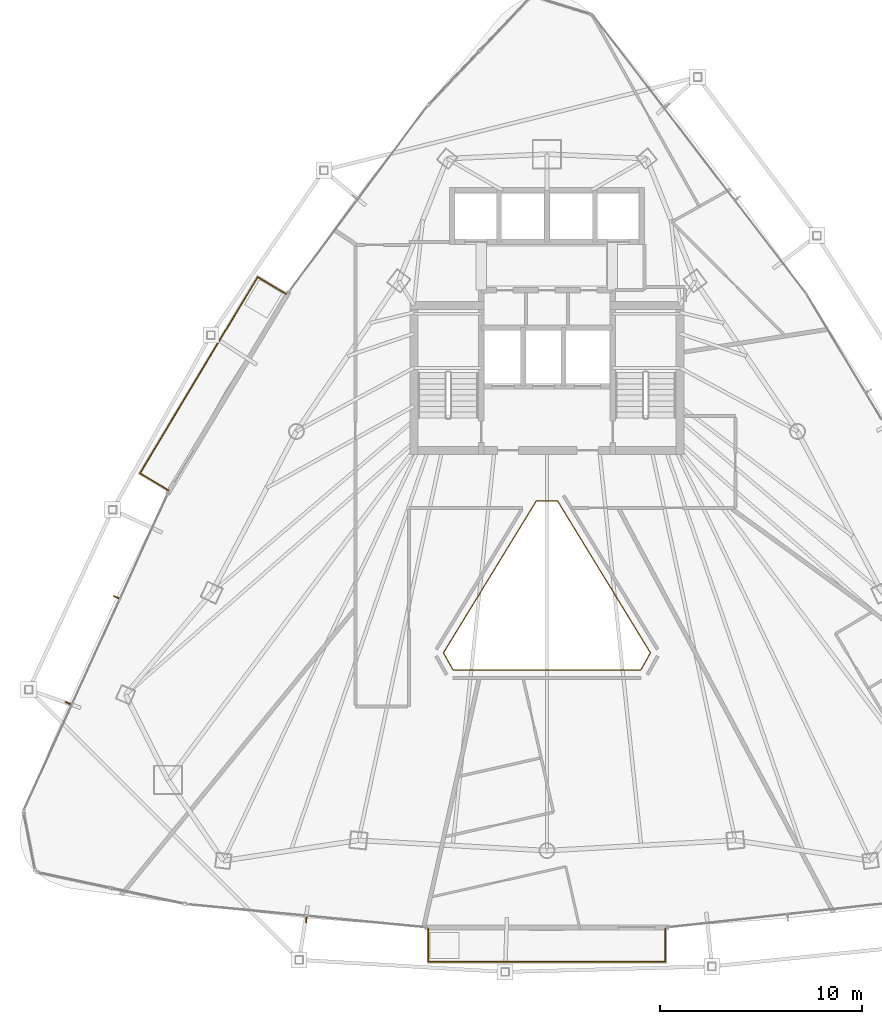
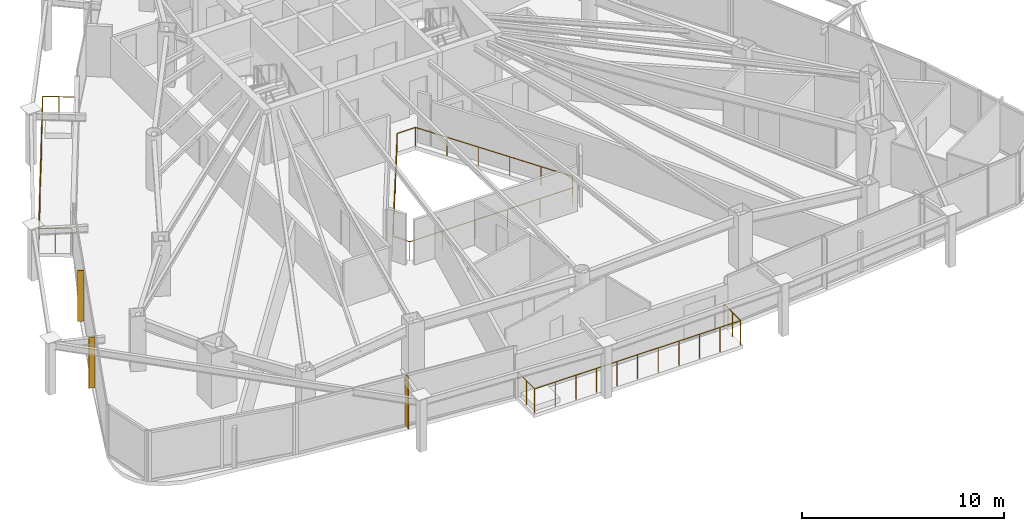
# One storey, part 31 of 33: 3 railings, 3 shading devices.
"""IFC4 building model written with IfcOpenShell, lengths in metres."""

from ifc_helpers import new_model, si_unit, direction, frame, origin, origin_2d, place, context, subcontext, project, spatial, rectangle, circle, extrude, material, layer, layer_set, type_object, element, save


model = new_model("IFC4")

# Units and contexts
model_context = context("Model", 3, precision=1e-05, world=origin(), true_north=direction((0.0, 1.0)))
body_context = subcontext(model_context, "Body", "Model", "MODEL_VIEW")
ifc_project = project(units=[si_unit("LENGTHUNIT", "METRE"), si_unit("AREAUNIT", "SQUARE_METRE"), si_unit("VOLUMEUNIT", "CUBIC_METRE"), si_unit("PLANEANGLEUNIT", "RADIAN"), si_unit("MASSUNIT", "GRAM", prefix="KILO")], contexts=[model_context])

# Site, building, storey
site_placement = place(None, origin())
site = spatial("IfcSite", under=ifc_project, at=site_placement, CompositionType="ELEMENT")
building_placement = place(site_placement, origin())
building = spatial("IfcBuilding", under=site, at=building_placement, Name="Orvanel Arch Residences", CompositionType="ELEMENT")
storey_placement = place(building_placement, frame((0.0, 0.0, 123.199951171875)))
storey = spatial("IfcBuildingStorey", under=building, at=storey_placement, Name="L34", CompositionType="ELEMENT", Elevation=123.199951171875)

# Shading devices
ifc_material = material(Name="Bronze-anodised aluminium AA6063-T6", Category="aluminium")
ifc_layer = layer(ifc_material, 0.054931640625)
ifc_layer_set = layer_set([ifc_layer], Name="Bronze-anodised aluminium AA6063-T6")
shading_device_type = type_object("IfcShadingDeviceType", Name="FIN-BRZ-320", PredefinedType="USERDEFINED", material=ifc_layer_set)
for number, where, z_axis, x_axis, name in (
    (1, (11.64892578125, 19.416015625, 0.0), (0.0, 0.0, 1.0), (-0.909961270877, 0.414693242656, 0.0), "L34 Anodised Bronze Mullion FIN 01"),
    (2, (9.2529296875, 14.14990234375, 0.0), (0.0, 0.0, 1.0), (-0.909961270877, 0.414693242656, 0.0), "L34 Anodised Bronze Mullion FIN 02"),
    (3, (21.06494140625, 3.423095703125, 0.0), (0.0, 0.0, 1.0), (-0.09584575252, -0.995396198367, 0.0), "L34 Anodised Bronze Mullion FIN 01"),
):
    element("IfcShadingDevice", number, at=place(storey_placement, frame(where, z_axis=z_axis, x_axis=x_axis)), inside=storey, type_object=shading_device_type, Name=name, ObjectType="FIN", PredefinedType="USERDEFINED", context=body_context, shape_type="SweptSolid", body=[
        extrude(rectangle(XDim=0.320068359375, YDim=0.054931640625, at=origin_2d()), origin(), (0.0, 0.0, 1.0), 3.06005859375),
    ])

# Railings
railing_type_1 = type_object("IfcRailingType", Name="RL-ATR-1150", PredefinedType="BALUSTRADE", material=ifc_material)
railing_1_placement = place(storey_placement, frame((33.52001953125, 24.198974609375, 0.0)))
element("IfcRailing", 4, at=railing_1_placement, inside=storey, type_object=railing_type_1, Name="L34 Atrium Void Protective Balustrade", PredefinedType="BALUSTRADE", context=body_context, shape_type="SweptSolid", body=[
    extrude(circle(Radius=0.02392578125, at=origin_2d()), frame((-0.00146484375, 0.0, 1.1259765625), z_axis=(-1.0, 0.0, 0.0), x_axis=(0.0, -1.0, 0.0)), (0.0, 0.0, 1.0), 1.037109375),
    extrude(circle(Radius=0.02392578125, at=origin_2d()), frame((-1.040771484375, -0.001220703125, 1.1259765625), z_axis=(-0.521622037561, -0.853176681544, 0.0), x_axis=(0.853176681544, -0.521622037561, 0.0)), (0.0, 0.0, 1.0), 8.8369140625),
    extrude(circle(Radius=0.02392578125, at=origin_2d()), frame((-5.650390625, -7.543212890625, 1.1259765625), z_axis=(0.488953837544, -0.872309661044, 0.0), x_axis=(0.872309661044, 0.488953837544, 0.0)), (0.0, 0.0, 1.0), 0.97265625),
    extrude(circle(Radius=0.02392578125, at=origin_2d()), frame((-5.172607421875, -8.39306640625, 1.1259765625), z_axis=(1.0, 0.0, 0.0), x_axis=(0.0, 1.0, 0.0)), (0.0, 0.0, 1.0), 9.30517578125),
    extrude(circle(Radius=0.02392578125, at=origin_2d()), frame((4.134765625, -8.391845703125, 1.1259765625), z_axis=(0.488953837544, 0.872309661044, 0.0), x_axis=(-0.872309661044, 0.488953837544, 0.0)), (0.0, 0.0, 1.0), 0.97265625),
    extrude(circle(Radius=0.02392578125, at=origin_2d()), frame((4.6103515625, -7.540771484375, 1.1259765625), z_axis=(-0.521622037561, 0.853176681544, 0.0), x_axis=(-0.853176681544, -0.521622037561, 0.0)), (0.0, 0.0, 1.0), 8.8369140625),
    extrude(circle(Radius=0.02099609375, at=origin_2d()), origin(), (0.0, 0.0, 1.0), 1.099853515625),
    extrude(circle(Radius=0.02099609375, at=origin_2d()), frame((-1.0400390625, 0.0, 0.0)), (0.0, 0.0, 1.0), 1.099853515625),
    extrude(circle(Radius=0.02099609375, at=origin_2d()), frame((-1.962158203125, -1.50830078125, 0.0)), (0.0, 0.0, 1.0), 1.099853515625),
    extrude(circle(Radius=0.02099609375, at=origin_2d()), frame((-2.884521484375, -3.016845703125, 0.0)), (0.0, 0.0, 1.0), 1.099853515625),
    extrude(circle(Radius=0.02099609375, at=origin_2d()), frame((-3.806640625, -4.525146484375, 0.0)), (0.0, 0.0, 1.0), 1.099853515625),
    extrude(circle(Radius=0.02099609375, at=origin_2d()), frame((-4.72900390625, -6.03369140625, 0.0)), (0.0, 0.0, 1.0), 1.099853515625),
    extrude(circle(Radius=0.02099609375, at=origin_2d()), frame((-5.651123046875, -7.5419921875, 0.0)), (0.0, 0.0, 1.0), 1.099853515625),
    extrude(circle(Radius=0.02099609375, at=origin_2d()), frame((-5.174072265625, -8.39306640625, 0.0)), (0.0, 0.0, 1.0), 1.099853515625),
    extrude(circle(Radius=0.02099609375, at=origin_2d()), frame((-3.3125, -8.39306640625, 0.0)), (0.0, 0.0, 1.0), 1.099853515625),
    extrude(circle(Radius=0.02099609375, at=origin_2d()), frame((-1.450927734375, -8.39306640625, 0.0)), (0.0, 0.0, 1.0), 1.099853515625),
    extrude(circle(Radius=0.02099609375, at=origin_2d()), frame((0.410888671875, -8.39306640625, 0.0)), (0.0, 0.0, 1.0), 1.099853515625),
    extrude(circle(Radius=0.02099609375, at=origin_2d()), frame((2.2724609375, -8.39306640625, 0.0)), (0.0, 0.0, 1.0), 1.099853515625),
    extrude(circle(Radius=0.02099609375, at=origin_2d()), frame((4.134033203125, -8.39306640625, 0.0)), (0.0, 0.0, 1.0), 1.099853515625),
    extrude(circle(Radius=0.02099609375, at=origin_2d()), frame((4.611083984375, -7.5419921875, 0.0)), (0.0, 0.0, 1.0), 1.099853515625),
    extrude(circle(Radius=0.02099609375, at=origin_2d()), frame((3.68896484375, -6.03369140625, 0.0)), (0.0, 0.0, 1.0), 1.099853515625),
    extrude(circle(Radius=0.02099609375, at=origin_2d()), frame((2.7666015625, -4.525146484375, 0.0)), (0.0, 0.0, 1.0), 1.099853515625),
    extrude(circle(Radius=0.02099609375, at=origin_2d()), frame((1.844482421875, -3.016845703125, 0.0)), (0.0, 0.0, 1.0), 1.099853515625),
    extrude(circle(Radius=0.02099609375, at=origin_2d()), frame((0.922119140625, -1.50830078125, 0.0)), (0.0, 0.0, 1.0), 1.099853515625),
])
railing_type_2 = type_object("IfcRailingType", Name="RL-BAL-1480", PredefinedType="BALUSTRADE", material=ifc_material)
railing_2_placement = place(storey_placement, frame((20.056884765625, 34.464111328125, 0.0)))
element("IfcRailing", 5, at=railing_2_placement, inside=storey, type_object=railing_type_2, Name="L34 Balcony Perimeter Guardrail Face 1", PredefinedType="BALUSTRADE", context=body_context, shape_type="SweptSolid", body=[
    extrude(circle(Radius=0.02392578125, at=origin_2d()), frame((-0.001220703125, 0.000732421875, 1.4560546875), z_axis=(-0.857387817543, 0.514670895164, 0.0), x_axis=(-0.514670895164, -0.857387817543, 0.0)), (0.0, 0.0, 1.0), 1.636962890625),
    extrude(circle(Radius=0.02392578125, at=origin_2d()), frame((-1.40673828125, 0.8427734375, 1.4560546875), z_axis=(-0.514435715158, -0.857528947016, 0.0), x_axis=(0.857528947016, -0.514435715158, 0.0)), (0.0, 0.0, 1.0), 11.35888671875),
    extrude(circle(Radius=0.02392578125, at=origin_2d()), frame((-7.249755859375, -8.89990234375, 1.4560546875), z_axis=(0.857545439568, -0.514408222208, 0.0), x_axis=(0.514408222208, 0.857545439568, 0.0)), (0.0, 0.0, 1.0), 1.6376953125),
    extrude(circle(Radius=0.02099609375, at=origin_2d()), origin(), (0.0, 0.0, 1.0), 1.429931640625),
    extrude(circle(Radius=0.02099609375, at=origin_2d()), frame((-0.703125, 0.421875, 0.0)), (0.0, 0.0, 1.0), 1.429931640625),
    extrude(circle(Radius=0.02099609375, at=origin_2d()), frame((-1.406005859375, 0.843994140625, 0.0)), (0.0, 0.0, 1.0), 1.429931640625),
    extrude(circle(Radius=0.02099609375, at=origin_2d()), frame((-1.990478515625, -0.13037109375, 0.0)), (0.0, 0.0, 1.0), 1.429931640625),
    extrude(circle(Radius=0.02099609375, at=origin_2d()), frame((-2.574951171875, -1.104736328125, 0.0)), (0.0, 0.0, 1.0), 1.429931640625),
    extrude(circle(Radius=0.02099609375, at=origin_2d()), frame((-3.159423828125, -2.078857421875, 0.0)), (0.0, 0.0, 1.0), 1.429931640625),
    extrude(circle(Radius=0.02099609375, at=origin_2d()), frame((-3.743896484375, -3.05322265625, 0.0)), (0.0, 0.0, 1.0), 1.429931640625),
    extrude(circle(Radius=0.02099609375, at=origin_2d()), frame((-4.32861328125, -4.027587890625, 0.0)), (0.0, 0.0, 1.0), 1.429931640625),
    extrude(circle(Radius=0.02099609375, at=origin_2d()), frame((-4.9130859375, -5.001953125, 0.0)), (0.0, 0.0, 1.0), 1.429931640625),
    extrude(circle(Radius=0.02099609375, at=origin_2d()), frame((-5.49755859375, -5.976318359375, 0.0)), (0.0, 0.0, 1.0), 1.429931640625),
    extrude(circle(Radius=0.02099609375, at=origin_2d()), frame((-6.08203125, -6.950439453125, 0.0)), (0.0, 0.0, 1.0), 1.429931640625),
    extrude(circle(Radius=0.02099609375, at=origin_2d()), frame((-6.66650390625, -7.9248046875, 0.0)), (0.0, 0.0, 1.0), 1.429931640625),
    extrude(circle(Radius=0.02099609375, at=origin_2d()), frame((-7.2509765625, -8.899169921875, 0.0)), (0.0, 0.0, 1.0), 1.429931640625),
    extrude(circle(Radius=0.02099609375, at=origin_2d()), frame((-6.54736328125, -9.3212890625, 0.0)), (0.0, 0.0, 1.0), 1.429931640625),
    extrude(circle(Radius=0.02099609375, at=origin_2d()), frame((-5.843994140625, -9.7431640625, 0.0)), (0.0, 0.0, 1.0), 1.429931640625),
])
railing_3_placement = place(storey_placement, frame((27.12109375, 2.972900390625, 0.0)))
element("IfcRailing", 6, at=railing_3_placement, inside=storey, type_object=railing_type_2, Name="L34 Balcony Perimeter Guardrail Face 2", PredefinedType="BALUSTRADE", context=body_context, shape_type="SweptSolid", body=[
    extrude(circle(Radius=0.02392578125, at=origin_2d()), frame((0.0, -0.00146484375, 1.4560546875), z_axis=(0.0, -1.0, 0.0), x_axis=(1.0, 0.0, 0.0)), (0.0, 0.0, 1.0), 1.636962890625),
    extrude(circle(Radius=0.02392578125, at=origin_2d()), frame((0.00146484375, -1.639892578125, 1.4560546875), z_axis=(1.0, 0.0, 0.0), x_axis=(0.0, 1.0, 0.0)), (0.0, 0.0, 1.0), 11.7548828125),
    extrude(circle(Radius=0.02392578125, at=origin_2d()), frame((11.7578125, -1.638427734375, 1.4560546875), z_axis=(0.0, 1.0, 0.0), x_axis=(-1.0, 0.0, 0.0)), (0.0, 0.0, 1.0), 1.636962890625),
    extrude(circle(Radius=0.02099609375, at=origin_2d()), origin(), (0.0, 0.0, 1.0), 1.429931640625),
    extrude(circle(Radius=0.02099609375, at=origin_2d()), frame((0.0, -0.81982421875, 0.0)), (0.0, 0.0, 1.0), 1.429931640625),
    extrude(circle(Radius=0.02099609375, at=origin_2d()), frame((0.0, -1.639892578125, 0.0)), (0.0, 0.0, 1.0), 1.429931640625),
    extrude(circle(Radius=0.02099609375, at=origin_2d()), frame((1.17578125, -1.639892578125, 0.0)), (0.0, 0.0, 1.0), 1.429931640625),
    extrude(circle(Radius=0.02099609375, at=origin_2d()), frame((2.3515625, -1.639892578125, 0.0)), (0.0, 0.0, 1.0), 1.429931640625),
    extrude(circle(Radius=0.02099609375, at=origin_2d()), frame((3.52734375, -1.639892578125, 0.0)), (0.0, 0.0, 1.0), 1.429931640625),
    extrude(circle(Radius=0.02099609375, at=origin_2d()), frame((4.703125, -1.639892578125, 0.0)), (0.0, 0.0, 1.0), 1.429931640625),
    extrude(circle(Radius=0.02099609375, at=origin_2d()), frame((5.87890625, -1.639892578125, 0.0)), (0.0, 0.0, 1.0), 1.429931640625),
    extrude(circle(Radius=0.02099609375, at=origin_2d()), frame((7.0546875, -1.639892578125, 0.0)), (0.0, 0.0, 1.0), 1.429931640625),
    extrude(circle(Radius=0.02099609375, at=origin_2d()), frame((8.23046875, -1.639892578125, 0.0)), (0.0, 0.0, 1.0), 1.429931640625),
    extrude(circle(Radius=0.02099609375, at=origin_2d()), frame((9.40625, -1.639892578125, 0.0)), (0.0, 0.0, 1.0), 1.429931640625),
    extrude(circle(Radius=0.02099609375, at=origin_2d()), frame((10.58203125, -1.639892578125, 0.0)), (0.0, 0.0, 1.0), 1.429931640625),
    extrude(circle(Radius=0.02099609375, at=origin_2d()), frame((11.7578125, -1.639892578125, 0.0)), (0.0, 0.0, 1.0), 1.429931640625),
    extrude(circle(Radius=0.02099609375, at=origin_2d()), frame((11.7578125, -0.81982421875, 0.0)), (0.0, 0.0, 1.0), 1.429931640625),
    extrude(circle(Radius=0.02099609375, at=origin_2d()), frame((11.7578125, 0.0, 0.0)), (0.0, 0.0, 1.0), 1.429931640625),
])

save(model, "model.ifc")
